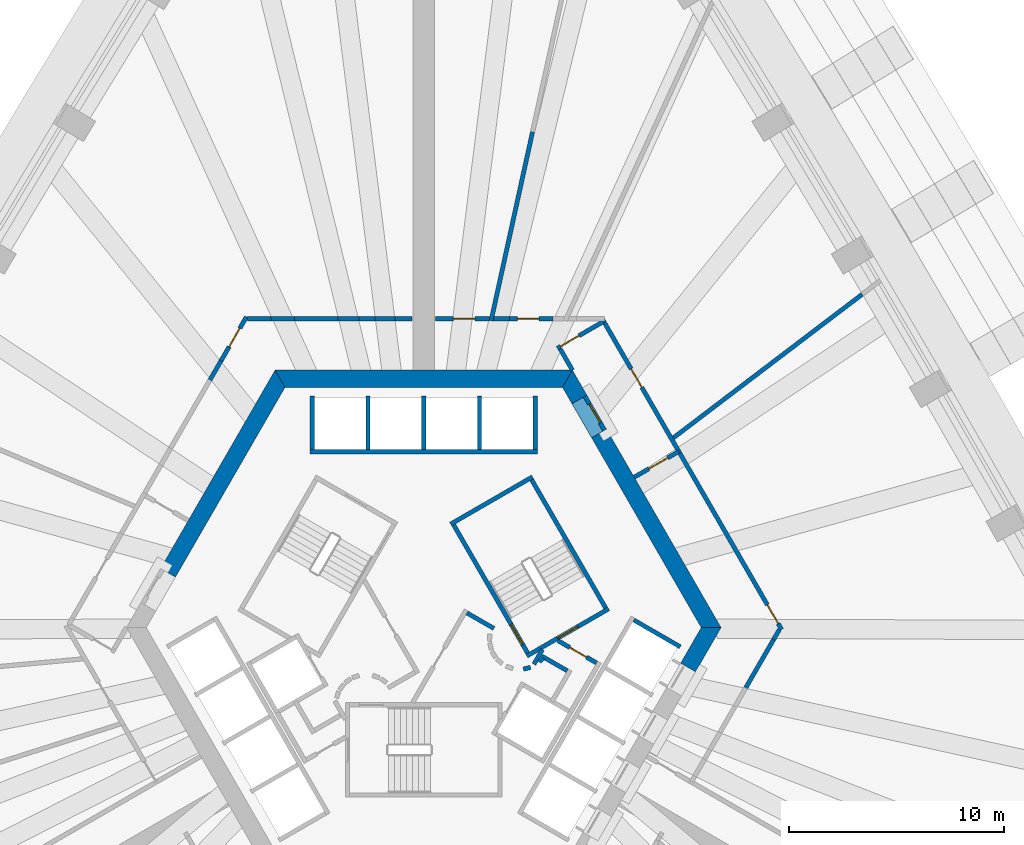
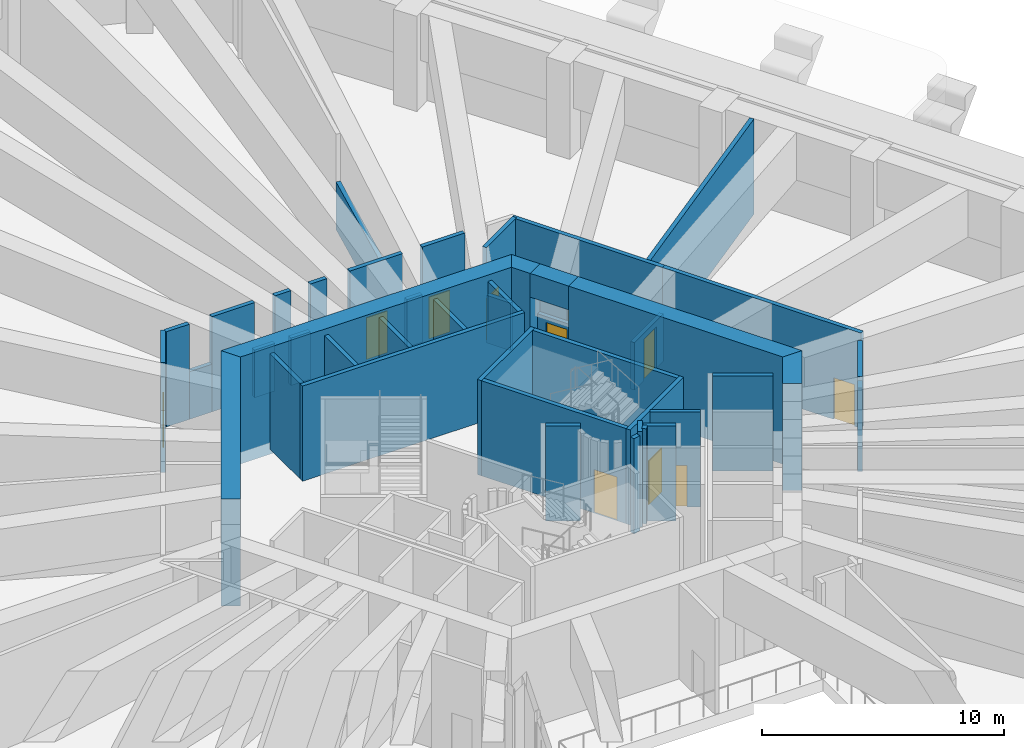
# One storey, part 12 of 22: 45 walls, 11 doors, 11 openings.
"""IFC4 building model written with IfcOpenShell, lengths in metres."""

from ifc_helpers import new_model, si_unit, direction, frame, frame_2d, origin, place, context, subcontext, project, spatial, polyline, rectangle, outline, extrude, material, layer, layer_set, type_object, element, fill, save


model = new_model("IFC4")

# Units and contexts
model_context = context("Model", 3, precision=1e-05, world=origin(), true_north=direction((0.0, 1.0)))
body_context = subcontext(model_context, "Body", "Model", "MODEL_VIEW")
ifc_project = project(units=[si_unit("LENGTHUNIT", "METRE"), si_unit("AREAUNIT", "SQUARE_METRE"), si_unit("VOLUMEUNIT", "CUBIC_METRE"), si_unit("PLANEANGLEUNIT", "RADIAN"), si_unit("MASSUNIT", "GRAM", prefix="KILO")], contexts=[model_context])

# Site, building, storey
site_placement = place(None, origin())
site = spatial("IfcSite", under=ifc_project, at=site_placement, CompositionType="ELEMENT")
building_placement = place(site_placement, origin())
building = spatial("IfcBuilding", under=site, at=building_placement, Name="Entoto Arch Interchange Tower", CompositionType="ELEMENT")
storey_placement = place(building_placement, frame((0.0, 0.0, 132.800048828125)))
storey = spatial("IfcBuildingStorey", under=building, at=storey_placement, Name="L29", CompositionType="ELEMENT", Elevation=132.800048828125)

# Wall, opening, door
ifc_material_1 = material(Name="Reinforced concrete C40/50", Category="concrete")
ifc_layer_1 = layer(ifc_material_1, 0.199951171875)
ifc_layer_set_1 = layer_set([ifc_layer_1], Name="Reinforced concrete C40/50")
wall_type_1 = type_object("IfcWallType", Name="CORE GAP INFILL WALL", PredefinedType="PARTITIONING", material=ifc_layer_set_1)
wall_1_placement = place(storey_placement, frame((8.430908203125, 11.697998046875, 0.0), z_axis=(0.0, 0.0, 1.0), x_axis=(-0.500115259676, 0.865958848352, 0.0)))
wall_1 = element("IfcWall", 1, at=wall_1_placement, inside=storey, type_object=wall_type_1, Name="wall:L29:gap2", PredefinedType="PARTITIONING", context=body_context, shape_type="SweptSolid", body=[
    extrude(rectangle(XDim=1.8291015625, YDim=0.199951171875, at=frame_2d((0.91455078125, 0.0))), origin(), (0.0, 0.0, 1.0), 2.39990234375),
])
opening_1_placement = place(wall_1_placement, frame((0.4150390625, 0.0, 0.0)))
opening_1 = element("IfcOpeningElement", 2, at=opening_1_placement, cuts=wall_1, Name="Opening L29-D92", PredefinedType="OPENING", context=body_context, shape_type="SweptSolid", body=[
    extrude(rectangle(XDim=1.0, YDim=2.10009765625, at=frame_2d((0.5, 1.050048828125))), frame((0.0, 0.10986328125, 0.0), z_axis=(0.0, -1.0, 0.0), x_axis=(1.0, 0.0, 0.0)), (0.0, 0.0, 1.0), 0.219970703125),
])
ifc_material_2 = material(Name="Fire-rated Steel S235 door and frame", Category="steel")
door_type_1 = type_object("IfcDoorType", Name="DOOR FD-10 1000x2100", OperationType="SINGLE_SWING_LEFT", PredefinedType="DOOR", material=ifc_material_2)
door_1_placement = place(opening_1_placement, origin())
door_1 = element("IfcDoor", 3, at=door_1_placement, inside=storey, type_object=door_type_1, Name="door:L29:gap2", OperationType="SINGLE_SWING_LEFT", OverallHeight=2.10009765625, OverallWidth=1.0, PredefinedType="DOOR", context=body_context, shape_type="SweptSolid", body=[
    extrude(rectangle(XDim=1.0, YDim=2.10009765625, at=frame_2d((0.5, 1.050048828125))), frame((0.0, 0.02490234375, 0.0), z_axis=(0.0, -1.0, 0.0), x_axis=(1.0, 0.0, 0.0)), (0.0, 0.0, 1.0), 0.050048828125),
])
fill(opening_1, door_1)

# Walls
ifc_material_3 = material(Name="Concrete C60/75", Category="concrete")
ifc_layer_2 = layer(ifc_material_3, 0.800048828125)
ifc_layer_set_2 = layer_set([ifc_layer_2], Name="Concrete C60/75")
wall_type_2 = type_object("IfcWallType", Name="Core wall 800 C60/75", PredefinedType="SHEAR", material=ifc_layer_set_2)
wall_2_placement = place(storey_placement, frame((0.0, 0.0, -0.60009765625)))
element("IfcWall", 4, at=wall_2_placement, inside=storey, type_object=wall_type_2, Name="Core wall NE L29", PredefinedType="SHEAR", context=body_context, shape_type="SweptSolid", body=[
    extrude(outline(polyline([(8.51708984375, 11.7470703125), (7.823974609375, 11.346923828125), (12.93310546875, 2.5), (13.85595703125, 2.5), (8.51708984375, 11.7470703125)])), origin(), (0.0, 0.0, 1.0), 5.400146484375),
])
wall_3_placement = place(storey_placement, frame((0.0, 0.0, -0.60009765625)))
element("IfcWall", 5, at=wall_3_placement, inside=storey, type_object=wall_type_2, Name="Core wall NE L29", PredefinedType="SHEAR", context=body_context, shape_type="SweptSolid", body=[
    extrude(outline(polyline([(6.908935546875, 12.931884765625), (7.60205078125, 13.33203125), (6.927978515625, 14.5), (6.466064453125, 13.699951171875), (6.908935546875, 12.931884765625)])), origin(), (0.0, 0.0, 1.0), 5.400146484375),
])
wall_4_placement = place(storey_placement, frame((0.0, 0.0, 3.599853515625)))
element("IfcWall", 6, at=wall_4_placement, inside=storey, type_object=wall_type_2, Name="Core wall lintel NE L29", PredefinedType="SHEAR", context=body_context, shape_type="SweptSolid", body=[
    extrude(outline(polyline([(7.60205078125, 13.33203125), (6.908935546875, 12.931884765625), (7.823974609375, 11.346923828125), (8.51708984375, 11.7470703125), (7.60205078125, 13.33203125)])), origin(), (0.0, 0.0, 1.0), 1.2001953125),
])
wall_5_placement = place(storey_placement, frame((0.0, 0.0, -0.60009765625)))
element("IfcWall", 7, at=wall_5_placement, inside=storey, type_object=wall_type_2, Name="Core wall N L29", PredefinedType="SHEAR", context=body_context, shape_type="SweptSolid", body=[
    extrude(outline(polyline([(6.927978515625, 14.5), (-6.927978515625, 14.5), (-6.466064453125, 13.699951171875), (6.466064453125, 13.699951171875), (6.927978515625, 14.5)])), origin(), (0.0, 0.0, 1.0), 5.400146484375),
])
wall_6_placement = place(storey_placement, frame((0.0, 0.0, -0.60009765625)))
element("IfcWall", 8, at=wall_6_placement, inside=storey, type_object=wall_type_2, Name="Core wall NW L29", PredefinedType="SHEAR", context=body_context, shape_type="SweptSolid", body=[
    extrude(outline(polyline([(-12.26708984375, 5.251953125), (-11.574951171875, 4.85205078125), (-6.466064453125, 13.699951171875), (-6.927978515625, 14.5), (-12.26708984375, 5.251953125)])), origin(), (0.0, 0.0, 1.0), 5.400146484375),
])
wall_7_placement = place(storey_placement, frame((0.0, 0.0, -0.60009765625)))
element("IfcWall", 9, at=wall_7_placement, inside=storey, type_object=wall_type_2, Name="Core wall SE L29", PredefinedType="SHEAR", context=body_context, shape_type="SweptSolid", body=[
    extrude(outline(polyline([(11.97412109375, 0.840087890625), (12.6669921875, 0.43994140625), (13.85595703125, 2.5), (12.93310546875, 2.5), (11.97412109375, 0.840087890625)])), origin(), (0.0, 0.0, 1.0), 5.400146484375),
])
ifc_material_4 = material(Name="Concrete C40/50", Category="concrete")
ifc_layer_3 = layer(ifc_material_4, 0.199951171875)
ifc_layer_set_3 = layer_set([ifc_layer_3], Name="Concrete C40/50")
wall_type_3 = type_object("IfcWallType", Name="LIFT SHAFT WALL 200", PredefinedType="STANDARD", material=ifc_layer_set_3)
wall_8_placement = place(storey_placement, frame((5.300048828125, 10.699951171875, 0.0), z_axis=(0.0, 0.0, 1.0), x_axis=(-1.0, 0.0, 0.0)))
element("IfcWall", 10, at=wall_8_placement, inside=storey, type_object=wall_type_3, Name="Shaft wall N3 front", PredefinedType="STANDARD", context=body_context, shape_type="SweptSolid", body=[
    extrude(rectangle(XDim=10.60009765625, YDim=0.199951171875, at=frame_2d((5.300048828125, 0.0))), origin(), (0.0, 0.0, 1.0), 4.800048828125),
])
for number, where, z_axis, x_axis, name in (
    (11, (5.199951171875, 10.800048828125, 0.0), (0.0, 0.0, 1.0), (0.0, 1.0, 0.0), "Shaft wall N3 cross 1"),
    (12, (2.60009765625, 10.800048828125, 0.0), (0.0, 0.0, 1.0), (0.0, 1.0, 0.0), "Shaft wall N3 cross 2"),
    (13, (0.0, 10.800048828125, 0.0), (0.0, 0.0, 1.0), (0.0, 1.0, 0.0), "Shaft wall N3 cross 3"),
    (14, (-2.60009765625, 10.800048828125, 0.0), (0.0, 0.0, 1.0), (0.0, 1.0, 0.0), "Shaft wall N3 cross 4"),
    (15, (-5.199951171875, 10.800048828125, 0.0), (0.0, 0.0, 1.0), (0.0, 1.0, 0.0), "Shaft wall N3 cross 5"),
):
    element("IfcWall", number, at=place(storey_placement, frame(where, z_axis=z_axis, x_axis=x_axis)), inside=storey, type_object=wall_type_3, Name=name, PredefinedType="STANDARD", context=body_context, shape_type="SweptSolid", body=[
        extrude(rectangle(XDim=2.5, YDim=0.199951171875, at=frame_2d((1.25, 0.0))), origin(), (0.0, 0.0, 1.0), 4.800048828125),
    ])
wall_9_placement = place(storey_placement, frame((9.7880859375, 2.85302734375, 0.0), z_axis=(0.0, 0.0, 1.0), x_axis=(0.865998541277, -0.500046524342, 0.0)))
element("IfcWall", 16, at=wall_9_placement, inside=storey, type_object=wall_type_3, Name="Shaft wall SE3 cross 5", PredefinedType="STANDARD", context=body_context, shape_type="SweptSolid", body=[
    extrude(rectangle(XDim=2.499755859375, YDim=0.199951171875, at=frame_2d((1.25, 0.0))), origin(), (0.0, 0.0, 1.0), 4.800048828125),
])
ifc_material_5 = material(Name="Gypsum board partition on steel studs", Category="steel")
ifc_layer_4 = layer(ifc_material_5, 0.199951171875)
ifc_layer_set_4 = layer_set([ifc_layer_4], Name="Gypsum board partition on steel studs")
wall_type_4 = type_object("IfcWallType", Name="PARTITION 200", PredefinedType="PARTITIONING", material=ifc_layer_set_4)
wall_10_placement = place(storey_placement, frame((5.389892578125, 0.89794921875, 0.0), z_axis=(0.0, 0.0, 1.0), x_axis=(0.673828488714, 0.738887791073, 0.0)))
element("IfcWall", 17, at=wall_10_placement, inside=storey, type_object=wall_type_4, Name="wall:L29:p001", PredefinedType="PARTITIONING", context=body_context, shape_type="SweptSolid", body=[
    extrude(rectangle(XDim=0.2626953125, YDim=0.199951171875, at=frame_2d((0.13134765625, 0.0))), origin(), (0.0, 0.0, 1.0), 4.800048828125),
])
wall_11_placement = place(storey_placement, frame((5.4990234375, 1.172119140625, 0.0), z_axis=(0.0, 0.0, 1.0), x_axis=(0.866333505267, -0.499465972466, 0.0)))
element("IfcWall", 18, at=wall_11_placement, inside=storey, type_object=wall_type_4, Name="wall:L29:p002", PredefinedType="PARTITIONING", context=body_context, shape_type="SweptSolid", body=[
    extrude(rectangle(XDim=1.37353515625, YDim=0.199951171875, at=frame_2d((0.686767578125, 0.0))), origin(), (0.0, 0.0, 1.0), 4.800048828125),
])
wall_12_placement = place(storey_placement, frame((5.135009765625, 0.79296875, 0.0), z_axis=(0.0, 0.0, 1.0), x_axis=(0.499526442893, 0.866298639529, 0.0)))
element("IfcWall", 19, at=wall_12_placement, inside=storey, type_object=wall_type_4, Name="wall:L29:p005", PredefinedType="PARTITIONING", context=body_context, shape_type="SweptSolid", body=[
    extrude(rectangle(XDim=0.790771484375, YDim=0.199951171875, at=frame_2d((0.3955078125, 0.0))), origin(), (0.0, 0.0, 1.0), 4.800048828125),
])

# Wall, opening, door
wall_13_placement = place(storey_placement, frame((6.25, 1.89404296875, 0.0), z_axis=(0.0, 0.0, 1.0), x_axis=(0.866043184279, -0.499969202016, 0.0)))
wall_13 = element("IfcWall", 20, at=wall_13_placement, inside=storey, type_object=wall_type_4, Name="wall:L29:p006", PredefinedType="PARTITIONING", context=body_context, shape_type="SweptSolid", body=[
    extrude(rectangle(XDim=2.084228515625, YDim=0.199951171875, at=frame_2d((1.0419921875, 0.0))), origin(), (0.0, 0.0, 1.0), 4.800048828125),
])
opening_2_placement = place(wall_13_placement, frame((0.64208984375, 0.0, 0.0)))
opening_2 = element("IfcOpeningElement", 21, at=opening_2_placement, cuts=wall_13, Name="Opening L29-D22", PredefinedType="OPENING", context=body_context, shape_type="SweptSolid", body=[
    extrude(rectangle(XDim=0.89990234375, YDim=2.10009765625, at=frame_2d((0.449951171875, 1.050048828125))), frame((0.0, 0.10986328125, 0.0), z_axis=(0.0, -1.0, 0.0), x_axis=(1.0, 0.0, 0.0)), (0.0, 0.0, 1.0), 0.219970703125),
])
ifc_material_6 = material(Name="Timber door leaf in Steel S235 frame", Category="steel")
door_type_2 = type_object("IfcDoorType", Name="DOOR DS-09 900x2100", OperationType="SINGLE_SWING_LEFT", PredefinedType="DOOR", material=ifc_material_6)
door_2_placement = place(opening_2_placement, origin())
door_2 = element("IfcDoor", 22, at=door_2_placement, inside=storey, type_object=door_type_2, Name="door:L29:22", OperationType="SINGLE_SWING_LEFT", OverallHeight=2.10009765625, OverallWidth=0.89990234375, PredefinedType="DOOR", context=body_context, shape_type="SweptSolid", body=[
    extrude(rectangle(XDim=0.89990234375, YDim=2.10009765625, at=frame_2d((0.449951171875, 1.050048828125))), frame((0.0, 0.02490234375, 0.0), z_axis=(0.0, -1.0, 0.0), x_axis=(1.0, 0.0, 0.0)), (0.0, 0.0, 1.0), 0.050048828125),
])
fill(opening_2, door_2)

# Walls
wall_14_placement = place(storey_placement, frame((4.64404296875, 0.56396484375, 0.0), z_axis=(0.0, 0.0, 1.0), x_axis=(0.969929076366, 0.243387729394, 0.0)))
element("IfcWall", 23, at=wall_14_placement, inside=storey, type_object=wall_type_4, Name="wall:L29:p017", PredefinedType="PARTITIONING", context=body_context, shape_type="SweptSolid", body=[
    extrude(rectangle(XDim=0.337158203125, YDim=0.199951171875, at=frame_2d((0.16845703125, 0.0))), origin(), (0.0, 0.0, 1.0), 4.800048828125),
])
wall_15_placement = place(storey_placement, frame((2.011962890625, 3.18603515625, 0.0), z_axis=(0.0, 0.0, 1.0), x_axis=(0.865891012941, -0.500232699559, 0.0)))
element("IfcWall", 24, at=wall_15_placement, inside=storey, type_object=wall_type_4, Name="wall:L29:p019", PredefinedType="PARTITIONING", context=body_context, shape_type="SweptSolid", body=[
    extrude(rectangle(XDim=1.449462890625, YDim=0.199951171875, at=frame_2d((0.724609375, 0.0))), origin(), (0.0, 0.0, 1.0), 4.800048828125),
])

# Wall, opening, door
wall_16_placement = place(storey_placement, frame((11.887939453125, 10.708984375, 0.0), z_axis=(0.0, 0.0, 1.0), x_axis=(-0.865973769406, -0.500089422704, 0.0)))
wall_16 = element("IfcWall", 25, at=wall_16_placement, inside=storey, type_object=wall_type_4, Name="wall:L29:p048", PredefinedType="PARTITIONING", context=body_context, shape_type="SweptSolid", body=[
    extrude(rectangle(XDim=2.3994140625, YDim=0.199951171875, at=frame_2d((1.19970703125, 0.0))), origin(), (0.0, 0.0, 1.0), 2.39990234375),
])
opening_3_placement = place(wall_16_placement, frame((0.60009765625, 0.0, 0.0)))
opening_3 = element("IfcOpeningElement", 26, at=opening_3_placement, cuts=wall_16, Name="Opening L29-D06", PredefinedType="OPENING", context=body_context, shape_type="SweptSolid", body=[
    extrude(rectangle(XDim=1.0, YDim=2.10009765625, at=frame_2d((0.5, 1.050048828125))), frame((0.0, 0.10986328125, 0.0), z_axis=(0.0, -1.0, 0.0), x_axis=(1.0, 0.0, 0.0)), (0.0, 0.0, 1.0), 0.219970703125),
])
door_3_placement = place(opening_3_placement, origin())
door_3 = element("IfcDoor", 27, at=door_3_placement, inside=storey, type_object=door_type_1, Name="door:L29:06", OperationType="SINGLE_SWING_RIGHT", OverallHeight=2.10009765625, OverallWidth=1.0, PredefinedType="DOOR", context=body_context, shape_type="SweptSolid", body=[
    extrude(rectangle(XDim=1.0, YDim=2.10009765625, at=frame_2d((0.5, 1.050048828125))), frame((0.0, 0.02490234375, 0.0), z_axis=(0.0, -1.0, 0.0), x_axis=(1.0, 0.0, 0.0)), (0.0, 0.0, 1.0), 0.050048828125),
])
fill(opening_3, door_3)

wall_17_placement = place(storey_placement, frame((6.222900390625, 15.52099609375, 0.0), z_axis=(0.0, 0.0, 1.0), x_axis=(0.866022959057, 0.500004234368, 0.0)))
wall_17 = element("IfcWall", 28, at=wall_17_placement, inside=storey, type_object=wall_type_4, Name="wall:L29:p049", PredefinedType="PARTITIONING", context=body_context, shape_type="SweptSolid", body=[
    extrude(rectangle(XDim=2.5, YDim=0.199951171875, at=frame_2d((1.25, 0.0))), origin(), (0.0, 0.0, 1.0), 4.800048828125),
])
opening_4_placement = place(wall_17_placement, frame((0.16796875, 0.0, 0.0)))
opening_4 = element("IfcOpeningElement", 29, at=opening_4_placement, cuts=wall_17, Name="Opening L29-D07", PredefinedType="OPENING", context=body_context, shape_type="SweptSolid", body=[
    extrude(rectangle(XDim=1.0, YDim=2.10009765625, at=frame_2d((0.5, 1.050048828125))), frame((0.0, 0.10986328125, 0.0), z_axis=(0.0, -1.0, 0.0), x_axis=(1.0, 0.0, 0.0)), (0.0, 0.0, 1.0), 0.219970703125),
])
door_4_placement = place(opening_4_placement, origin())
door_4 = element("IfcDoor", 30, at=door_4_placement, inside=storey, type_object=door_type_1, Name="door:L29:07", OperationType="SINGLE_SWING_LEFT", OverallHeight=2.10009765625, OverallWidth=1.0, PredefinedType="DOOR", context=body_context, shape_type="SweptSolid", body=[
    extrude(rectangle(XDim=1.0, YDim=2.10009765625, at=frame_2d((0.5, 1.050048828125))), frame((0.0, 0.02490234375, 0.0), z_axis=(0.0, -1.0, 0.0), x_axis=(1.0, 0.0, 0.0)), (0.0, 0.0, 1.0), 0.050048828125),
])
fill(opening_4, door_4)

# Wall
wall_18_placement = place(storey_placement, frame((6.360107421875, 15.48388671875, 0.0), z_axis=(0.0, 0.0, 1.0), x_axis=(0.499883687939, -0.866092546171, 0.0)))
element("IfcWall", 31, at=wall_18_placement, inside=storey, type_object=wall_type_4, Name="wall:L29:p050", PredefinedType="PARTITIONING", context=body_context, shape_type="SweptSolid", body=[
    extrude(rectangle(XDim=1.135986328125, YDim=0.199951171875, at=frame_2d((0.56787109375, 0.0))), origin(), (0.0, 0.0, 1.0), 2.39990234375),
])

# Wall, opening, door
wall_19_placement = place(storey_placement, frame((8.337890625, 16.85791015625, 0.0), z_axis=(0.0, 0.0, 1.0), x_axis=(0.499982693035, -0.866035395735, 0.0)))
wall_19 = element("IfcWall", 32, at=wall_19_placement, inside=storey, type_object=wall_type_4, Name="wall:L29:p051", PredefinedType="PARTITIONING", context=body_context, shape_type="SweptSolid", body=[
    extrude(rectangle(XDim=7.200439453125, YDim=0.199951171875, at=frame_2d((3.60009765625, 0.0))), origin(), (0.0, 0.0, 1.0), 4.800048828125),
])
opening_5_placement = place(wall_19_placement, frame((2.655029296875, 0.0, 0.0)))
opening_5 = element("IfcOpeningElement", 33, at=opening_5_placement, cuts=wall_19, Name="Opening L29-D08", PredefinedType="OPENING", context=body_context, shape_type="SweptSolid", body=[
    extrude(rectangle(XDim=1.0, YDim=2.10009765625, at=frame_2d((0.5, 1.050048828125))), frame((0.0, 0.10986328125, 0.0), z_axis=(0.0, -1.0, 0.0), x_axis=(1.0, 0.0, 0.0)), (0.0, 0.0, 1.0), 0.219970703125),
])
door_5_placement = place(opening_5_placement, origin())
door_5 = element("IfcDoor", 34, at=door_5_placement, inside=storey, type_object=door_type_1, Name="door:L29:08", OperationType="SINGLE_SWING_RIGHT", OverallHeight=2.10009765625, OverallWidth=1.0, PredefinedType="DOOR", context=body_context, shape_type="SweptSolid", body=[
    extrude(rectangle(XDim=1.0, YDim=2.10009765625, at=frame_2d((0.5, 1.050048828125))), frame((0.0, 0.02490234375, 0.0), z_axis=(0.0, -1.0, 0.0), x_axis=(1.0, 0.0, 0.0)), (0.0, 0.0, 1.0), 0.050048828125),
])
fill(opening_5, door_5)

wall_20_placement = place(storey_placement, frame((11.93798828125, 10.6220703125, 0.0), z_axis=(0.0, 0.0, 1.0), x_axis=(0.499964736285, -0.866045762343, 0.0)))
wall_20 = element("IfcWall", 35, at=wall_20_placement, inside=storey, type_object=wall_type_4, Name="wall:L29:p052", PredefinedType="PARTITIONING", context=body_context, shape_type="SweptSolid", body=[
    extrude(rectangle(XDim=9.478759765625, YDim=0.199951171875, at=frame_2d((4.7392578125, 0.0))), origin(), (0.0, 0.0, 1.0), 4.800048828125),
])
opening_6_placement = place(wall_20_placement, frame((8.160888671875, 0.0, 0.0)))
opening_6 = element("IfcOpeningElement", 36, at=opening_6_placement, cuts=wall_20, Name="Opening L29-D09", PredefinedType="OPENING", context=body_context, shape_type="SweptSolid", body=[
    extrude(rectangle(XDim=1.0, YDim=2.10009765625, at=frame_2d((0.5, 1.050048828125))), frame((0.0, 0.10986328125, 0.0), z_axis=(0.0, -1.0, 0.0), x_axis=(1.0, 0.0, 0.0)), (0.0, 0.0, 1.0), 0.219970703125),
])
door_6_placement = place(opening_6_placement, origin())
door_6 = element("IfcDoor", 37, at=door_6_placement, inside=storey, type_object=door_type_1, Name="door:L29:09", OperationType="SINGLE_SWING_LEFT", OverallHeight=2.10009765625, OverallWidth=1.0, PredefinedType="DOOR", context=body_context, shape_type="SweptSolid", body=[
    extrude(rectangle(XDim=1.0, YDim=2.10009765625, at=frame_2d((0.5, 1.050048828125))), frame((0.0, 0.02490234375, 0.0), z_axis=(0.0, -1.0, 0.0), x_axis=(1.0, 0.0, 0.0)), (0.0, 0.0, 1.0), 0.050048828125),
])
fill(opening_6, door_6)

# Walls
wall_21_placement = place(storey_placement, frame((16.576904296875, 2.4130859375, 0.0), z_axis=(0.0, 0.0, 1.0), x_axis=(-0.499491199364, -0.866318960751, 0.0)))
element("IfcWall", 38, at=wall_21_placement, inside=storey, type_object=wall_type_4, Name="wall:L29:p053", PredefinedType="PARTITIONING", context=body_context, shape_type="SweptSolid", body=[
    extrude(rectangle(XDim=0.54833984375, YDim=0.199951171875, at=frame_2d((0.274169921875, 0.0))), origin(), (0.0, 0.0, 1.0), 2.39990234375),
])
wall_22_placement = place(storey_placement, frame((3.260009765625, 16.89990234375, 0.0), z_axis=(0.0, 0.0, 1.0), x_axis=(1.0, 0.0, 0.0)))
element("IfcWall", 39, at=wall_22_placement, inside=storey, type_object=wall_type_4, Name="wall:L29:p055", PredefinedType="PARTITIONING", context=body_context, shape_type="SweptSolid", body=[
    extrude(rectangle(XDim=0.740966796875, YDim=0.199951171875, at=frame_2d((0.37060546875, 0.0))), origin(), (0.0, 0.0, 1.0), 2.39990234375),
])

# Wall, opening, door
wall_23_placement = place(storey_placement, frame((0.550048828125, 16.89990234375, 0.0), z_axis=(0.0, 0.0, 1.0), x_axis=(1.0, 0.0, 0.0)))
wall_23 = element("IfcWall", 40, at=wall_23_placement, inside=storey, type_object=wall_type_4, Name="wall:L29:p056", PredefinedType="PARTITIONING", context=body_context, shape_type="SweptSolid", body=[
    extrude(rectangle(XDim=2.510009765625, YDim=0.199951171875, at=frame_2d((1.2548828125, 0.0))), origin(), (0.0, 0.0, 1.0), 4.800048828125),
])
opening_7_placement = place(wall_23_placement, frame((0.830078125, 0.0, 0.0)))
opening_7 = element("IfcOpeningElement", 41, at=opening_7_placement, cuts=wall_23, Name="Opening L29-D11", PredefinedType="OPENING", context=body_context, shape_type="SweptSolid", body=[
    extrude(rectangle(XDim=1.0, YDim=2.10009765625, at=frame_2d((0.5, 1.050048828125))), frame((0.0, 0.10986328125, 0.0), z_axis=(0.0, -1.0, 0.0), x_axis=(1.0, 0.0, 0.0)), (0.0, 0.0, 1.0), 0.219970703125),
])
door_7_placement = place(opening_7_placement, origin())
door_7 = element("IfcDoor", 42, at=door_7_placement, inside=storey, type_object=door_type_1, Name="door:L29:11", OperationType="SINGLE_SWING_LEFT", OverallHeight=2.10009765625, OverallWidth=1.0, PredefinedType="DOOR", context=body_context, shape_type="SweptSolid", body=[
    extrude(rectangle(XDim=1.0, YDim=2.10009765625, at=frame_2d((0.5, 1.050048828125))), frame((0.0, 0.02490234375, 0.0), z_axis=(0.0, -1.0, 0.0), x_axis=(1.0, 0.0, 0.0)), (0.0, 0.0, 1.0), 0.050048828125),
])
fill(opening_7, door_7)

# Walls
wall_24_placement = place(storey_placement, frame((3.138916015625, 16.802001953125, 0.0), z_axis=(0.0, 0.0, 1.0), x_axis=(0.21434739217, 0.976757490614, 0.0)))
element("IfcWall", 43, at=wall_24_placement, inside=storey, type_object=wall_type_4, Name="wall:L29:p059", PredefinedType="PARTITIONING", context=body_context, shape_type="SweptSolid", body=[
    extrude(rectangle(XDim=9.009521484375, YDim=0.199951171875, at=frame_2d((4.5048828125, 0.0))), origin(), (0.0, 0.0, 1.0), 2.39990234375),
])
wall_25_placement = place(storey_placement, frame((-8.214111328125, 16.89990234375, 0.0), z_axis=(0.0, 0.0, 1.0), x_axis=(1.0, 0.0, 0.0)))
element("IfcWall", 44, at=wall_25_placement, inside=storey, type_object=wall_type_4, Name="wall:L29:p067", PredefinedType="PARTITIONING", context=body_context, shape_type="SweptSolid", body=[
    extrude(rectangle(XDim=1.105224609375, YDim=0.199951171875, at=frame_2d((0.552734375, 0.0))), origin(), (0.0, 0.0, 1.0), 4.800048828125),
])
wall_26_placement = place(storey_placement, frame((16.302978515625, 1.93798828125, 0.0), z_axis=(0.0, 0.0, 1.0), x_axis=(-0.499991733496, -0.8660301764, 0.0)))
element("IfcWall", 45, at=wall_26_placement, inside=storey, type_object=wall_type_4, Name="wall:L29:p053", PredefinedType="PARTITIONING", context=body_context, shape_type="SweptSolid", body=[
    extrude(rectangle(XDim=2.58984375, YDim=0.199951171875, at=frame_2d((1.294921875, 0.0))), origin(), (0.0, 0.0, 1.0), 4.800048828125),
])

# Wall, opening, door
wall_27_placement = place(storey_placement, frame((4.0009765625, 16.89990234375, 0.0), z_axis=(0.0, 0.0, 1.0), x_axis=(1.0, 0.0, 0.0)))
wall_27 = element("IfcWall", 46, at=wall_27_placement, inside=storey, type_object=wall_type_4, Name="wall:L29:p055", PredefinedType="PARTITIONING", context=body_context, shape_type="SweptSolid", body=[
    extrude(rectangle(XDim=2.028076171875, YDim=0.199951171875, at=frame_2d((1.01416015625, 0.0))), origin(), (0.0, 0.0, 1.0), 4.800048828125),
])
opening_8_placement = place(wall_27_placement, frame((0.362060546875, 0.0, 0.0)))
opening_8 = element("IfcOpeningElement", 47, at=opening_8_placement, cuts=wall_27, Name="Opening L29-D10", PredefinedType="OPENING", context=body_context, shape_type="SweptSolid", body=[
    extrude(rectangle(XDim=1.0, YDim=2.10009765625, at=frame_2d((0.5, 1.050048828125))), frame((0.0, 0.10986328125, 0.0), z_axis=(0.0, -1.0, 0.0), x_axis=(1.0, 0.0, 0.0)), (0.0, 0.0, 1.0), 0.219970703125),
])
door_8_placement = place(opening_8_placement, origin())
door_8 = element("IfcDoor", 48, at=door_8_placement, inside=storey, type_object=door_type_1, Name="door:L29:10", OperationType="SINGLE_SWING_RIGHT", OverallHeight=2.10009765625, OverallWidth=1.0, PredefinedType="DOOR", context=body_context, shape_type="SweptSolid", body=[
    extrude(rectangle(XDim=1.0, YDim=2.10009765625, at=frame_2d((0.5, 1.050048828125))), frame((0.0, 0.02490234375, 0.0), z_axis=(0.0, -1.0, 0.0), x_axis=(1.0, 0.0, 0.0)), (0.0, 0.0, 1.0), 0.050048828125),
])
fill(opening_8, door_8)

# Walls
wall_28_placement = place(storey_placement, frame((20.431884765625, 18.031982421875, 0.0), z_axis=(0.0, 0.0, 1.0), x_axis=(-0.796104804042, -0.605158773366, 0.0)))
element("IfcWall", 49, at=wall_28_placement, inside=storey, type_object=wall_type_4, Name="wall:L29:p057", PredefinedType="PARTITIONING", context=body_context, shape_type="SweptSolid", body=[
    extrude(rectangle(XDim=11.149169921875, YDim=0.199951171875, at=frame_2d((5.57470703125, 0.0))), origin(), (0.0, 0.0, 1.0), 4.800048828125),
])
wall_29_placement = place(storey_placement, frame((-9.965087890625, 14.041015625, 0.0), z_axis=(0.0, 0.0, 1.0), x_axis=(0.500121408466, 0.865955297226, 0.0)))
element("IfcWall", 50, at=wall_29_placement, inside=storey, type_object=wall_type_4, Name="wall:L29:p066", PredefinedType="PARTITIONING", context=body_context, shape_type="SweptSolid", body=[
    extrude(rectangle(XDim=1.041748046875, YDim=0.199951171875, at=frame_2d((0.52099609375, 0.0))), origin(), (0.0, 0.0, 1.0), 2.39990234375),
])

# Wall, opening, door
wall_30_placement = place(storey_placement, frame((-9.444091796875, 14.943115234375, 0.0), z_axis=(0.0, 0.0, 1.0), x_axis=(0.500032858622, 0.866006432019, 0.0)))
wall_30 = element("IfcWall", 51, at=wall_30_placement, inside=storey, type_object=wall_type_4, Name="wall:L29:p066", PredefinedType="PARTITIONING", context=body_context, shape_type="SweptSolid", body=[
    extrude(rectangle(XDim=2.360107421875, YDim=0.199951171875, at=frame_2d((1.18017578125, 0.0))), origin(), (0.0, 0.0, 1.0), 4.800048828125),
])
opening_9_placement = place(wall_30_placement, frame((0.743896484375, 0.0, 0.0)))
opening_9 = element("IfcOpeningElement", 52, at=opening_9_placement, cuts=wall_30, Name="Opening L29-D15", PredefinedType="OPENING", context=body_context, shape_type="SweptSolid", body=[
    extrude(rectangle(XDim=1.0, YDim=2.10009765625, at=frame_2d((0.5, 1.050048828125))), frame((0.0, 0.10986328125, 0.0), z_axis=(0.0, -1.0, 0.0), x_axis=(1.0, 0.0, 0.0)), (0.0, 0.0, 1.0), 0.219970703125),
])
door_9_placement = place(opening_9_placement, origin())
door_9 = element("IfcDoor", 53, at=door_9_placement, inside=storey, type_object=door_type_1, Name="door:L29:15", OperationType="SINGLE_SWING_LEFT", OverallHeight=2.10009765625, OverallWidth=1.0, PredefinedType="DOOR", context=body_context, shape_type="SweptSolid", body=[
    extrude(rectangle(XDim=1.0, YDim=2.10009765625, at=frame_2d((0.5, 1.050048828125))), frame((0.0, 0.02490234375, 0.0), z_axis=(0.0, -1.0, 0.0), x_axis=(1.0, 0.0, 0.0)), (0.0, 0.0, 1.0), 0.050048828125),
])
fill(opening_9, door_9)

# Walls
wall_31_placement = place(storey_placement, frame((-7.10888671875, 16.89990234375, 0.0), z_axis=(0.0, 0.0, 1.0), x_axis=(1.0, 0.0, 0.0)))
element("IfcWall", 54, at=wall_31_placement, inside=storey, type_object=wall_type_4, Name="wall:L29:p067", PredefinedType="PARTITIONING", context=body_context, shape_type="SweptSolid", body=[
    extrude(rectangle(XDim=1.079833984375, YDim=0.199951171875, at=frame_2d((0.5400390625, 0.0))), origin(), (0.0, 0.0, 1.0), 2.39990234375),
])
wall_32_placement = place(storey_placement, frame((-6.029052734375, 16.89990234375, 0.0), z_axis=(0.0, 0.0, 1.0), x_axis=(1.0, 0.0, 0.0)))
element("IfcWall", 55, at=wall_32_placement, inside=storey, type_object=wall_type_4, Name="wall:L29:p067", PredefinedType="PARTITIONING", context=body_context, shape_type="SweptSolid", body=[
    extrude(rectangle(XDim=2.028076171875, YDim=0.199951171875, at=frame_2d((1.01416015625, 0.0))), origin(), (0.0, 0.0, 1.0), 4.800048828125),
])
wall_33_placement = place(storey_placement, frame((-4.0009765625, 16.89990234375, 0.0), z_axis=(0.0, 0.0, 1.0), x_axis=(1.0, 0.0, 0.0)))
element("IfcWall", 56, at=wall_33_placement, inside=storey, type_object=wall_type_4, Name="wall:L29:p067", PredefinedType="PARTITIONING", context=body_context, shape_type="SweptSolid", body=[
    extrude(rectangle(XDim=0.97509765625, YDim=0.199951171875, at=frame_2d((0.487548828125, 0.0))), origin(), (0.0, 0.0, 1.0), 2.39990234375),
])
wall_34_placement = place(storey_placement, frame((-3.02587890625, 16.89990234375, 0.0), z_axis=(0.0, 0.0, 1.0), x_axis=(1.0, 0.0, 0.0)))
element("IfcWall", 57, at=wall_34_placement, inside=storey, type_object=wall_type_4, Name="wall:L29:p067", PredefinedType="PARTITIONING", context=body_context, shape_type="SweptSolid", body=[
    extrude(rectangle(XDim=0.7568359375, YDim=0.199951171875, at=frame_2d((0.37841796875, 0.0))), origin(), (0.0, 0.0, 1.0), 4.800048828125),
])
wall_35_placement = place(storey_placement, frame((-2.26904296875, 16.89990234375, 0.0), z_axis=(0.0, 0.0, 1.0), x_axis=(1.0, 0.0, 0.0)))
element("IfcWall", 58, at=wall_35_placement, inside=storey, type_object=wall_type_4, Name="wall:L29:p067", PredefinedType="PARTITIONING", context=body_context, shape_type="SweptSolid", body=[
    extrude(rectangle(XDim=0.93212890625, YDim=0.199951171875, at=frame_2d((0.466064453125, 0.0))), origin(), (0.0, 0.0, 1.0), 2.39990234375),
])
wall_36_placement = place(storey_placement, frame((-1.3369140625, 16.89990234375, 0.0), z_axis=(0.0, 0.0, 1.0), x_axis=(1.0, 0.0, 0.0)))
element("IfcWall", 59, at=wall_36_placement, inside=storey, type_object=wall_type_4, Name="wall:L29:p067", PredefinedType="PARTITIONING", context=body_context, shape_type="SweptSolid", body=[
    extrude(rectangle(XDim=0.786865234375, YDim=0.199951171875, at=frame_2d((0.3935546875, 0.0))), origin(), (0.0, 0.0, 1.0), 4.800048828125),
])

# Wall, opening, door
ifc_layer_5 = layer(ifc_material_4, 0.199951171875)
ifc_layer_set_5 = layer_set([ifc_layer_5], Name="Concrete C40/50")
wall_type_5 = type_object("IfcWallType", Name="STAIR ENCLOSURE WALL 200", PredefinedType="STANDARD", material=ifc_layer_set_5)
wall_37_placement = place(storey_placement, frame((4.805908203125, 1.176025390625, 0.0), z_axis=(0.0, 0.0, 1.0), x_axis=(0.866059941101, 0.499940174841, 0.0)))
wall_37 = element("IfcWall", 60, at=wall_37_placement, inside=storey, type_object=wall_type_5, Name="Stair wall ST-NE near", PredefinedType="STANDARD", context=body_context, shape_type="SweptSolid", body=[
    extrude(rectangle(XDim=4.400390625, YDim=0.199951171875, at=frame_2d((2.2001953125, 0.0))), origin(), (0.0, 0.0, 1.0), 4.800048828125),
])
opening_10_placement = place(wall_37_placement, frame((1.64990234375, 0.0, 0.0)))
opening_10 = element("IfcOpeningElement", 61, at=opening_10_placement, cuts=wall_37, Name="Opening SD-ST-NE-L29-E", PredefinedType="OPENING", context=body_context, shape_type="SweptSolid", body=[
    extrude(rectangle(XDim=1.10009765625, YDim=2.199951171875, at=frame_2d((0.550048828125, 1.10009765625))), frame((0.0, 0.10986328125, 0.0), z_axis=(0.0, -1.0, 0.0), x_axis=(1.0, 0.0, 0.0)), (0.0, 0.0, 1.0), 0.219970703125),
])
ifc_material_7 = material(Name="Steel S235", Category="steel")
door_type_3 = type_object("IfcDoorType", Name="STAIR DOOR SD1 1100x2200", OperationType="SINGLE_SWING_LEFT", PredefinedType="DOOR", material=ifc_material_7)
door_10_placement = place(opening_10_placement, origin())
door_10 = element("IfcDoor", 62, at=door_10_placement, inside=storey, type_object=door_type_3, Name="Stair door ST-NE L29 end", OperationType="SINGLE_SWING_LEFT", OverallHeight=2.199951171875, OverallWidth=1.10009765625, PredefinedType="DOOR", context=body_context, shape_type="SweptSolid", body=[
    extrude(rectangle(XDim=1.10009765625, YDim=2.199951171875, at=frame_2d((0.550048828125, 1.10009765625))), frame((0.0, 0.02490234375, 0.0), z_axis=(0.0, -1.0, 0.0), x_axis=(1.0, 0.0, 0.0)), (0.0, 0.0, 1.0), 0.050048828125),
])
fill(opening_10, door_10)

# Wall
wall_38_placement = place(storey_placement, frame((1.256103515625, 7.323974609375, 0.0), z_axis=(0.0, 0.0, 1.0), x_axis=(0.866046073146, 0.499964197906, 0.0)))
element("IfcWall", 63, at=wall_38_placement, inside=storey, type_object=wall_type_5, Name="Stair wall ST-NE far", PredefinedType="STANDARD", context=body_context, shape_type="SweptSolid", body=[
    extrude(rectangle(XDim=4.400146484375, YDim=0.199951171875, at=frame_2d((2.2001953125, 0.0))), origin(), (0.0, 0.0, 1.0), 4.800048828125),
])

# Wall, opening, door
wall_39_placement = place(storey_placement, frame((4.843017578125, 1.31201171875, 0.0), z_axis=(0.0, 0.0, 1.0), x_axis=(-0.499963383562, 0.866046543262, 0.0)))
wall_39 = element("IfcWall", 64, at=wall_39_placement, inside=storey, type_object=wall_type_5, Name="Stair wall ST-NE hall", PredefinedType="STANDARD", context=body_context, shape_type="SweptSolid", body=[
    extrude(rectangle(XDim=6.900390625, YDim=0.199951171875, at=frame_2d((3.4501953125, 0.0))), origin(), (0.0, 0.0, 1.0), 4.800048828125),
])
opening_11_placement = place(wall_39_placement, frame((0.449951171875, 0.0, 0.0)))
opening_11 = element("IfcOpeningElement", 65, at=opening_11_placement, cuts=wall_39, Name="Opening SD-ST-NE-L29", PredefinedType="OPENING", context=body_context, shape_type="SweptSolid", body=[
    extrude(rectangle(XDim=1.10009765625, YDim=2.199951171875, at=frame_2d((0.550048828125, 1.10009765625))), frame((0.0, 0.10986328125, 0.0), z_axis=(0.0, -1.0, 0.0), x_axis=(1.0, 0.0, 0.0)), (0.0, 0.0, 1.0), 0.219970703125),
])
door_11_placement = place(opening_11_placement, origin())
door_11 = element("IfcDoor", 66, at=door_11_placement, inside=storey, type_object=door_type_3, Name="Stair door ST-NE L29", OperationType="SINGLE_SWING_LEFT", OverallHeight=2.199951171875, OverallWidth=1.10009765625, PredefinedType="DOOR", context=body_context, shape_type="SweptSolid", body=[
    extrude(rectangle(XDim=1.10009765625, YDim=2.199951171875, at=frame_2d((0.550048828125, 1.10009765625))), frame((0.0, 0.02490234375, 0.0), z_axis=(0.0, -1.0, 0.0), x_axis=(1.0, 0.0, 0.0)), (0.0, 0.0, 1.0), 0.050048828125),
])
fill(opening_11, door_11)

# Wall
wall_40_placement = place(storey_placement, frame((8.47998046875, 3.412109375, 0.0), z_axis=(0.0, 0.0, 1.0), x_axis=(-0.499978703459, 0.866037698999, 0.0)))
element("IfcWall", 67, at=wall_40_placement, inside=storey, type_object=wall_type_5, Name="Stair wall ST-NE back", PredefinedType="STANDARD", context=body_context, shape_type="SweptSolid", body=[
    extrude(rectangle(XDim=6.900146484375, YDim=0.199951171875, at=frame_2d((3.4501953125, 0.0))), origin(), (0.0, 0.0, 1.0), 4.800048828125),
])

save(model, "model.ifc")
